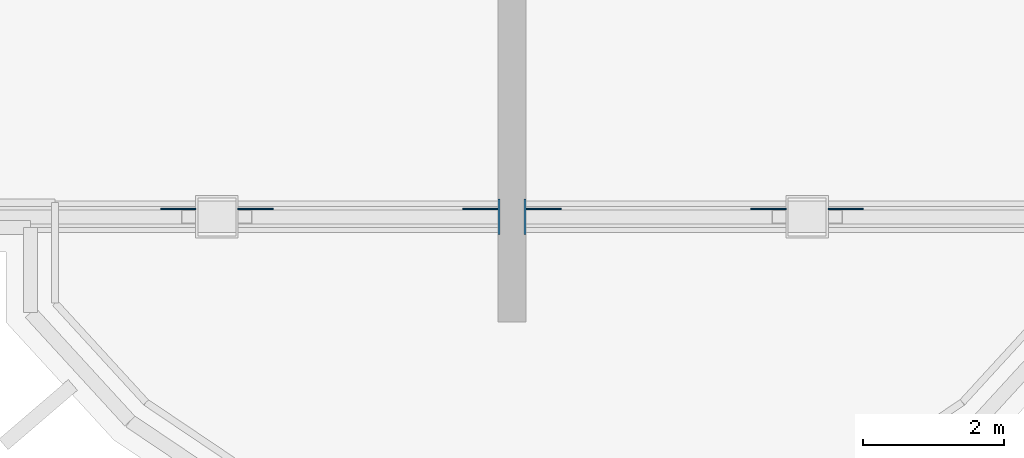
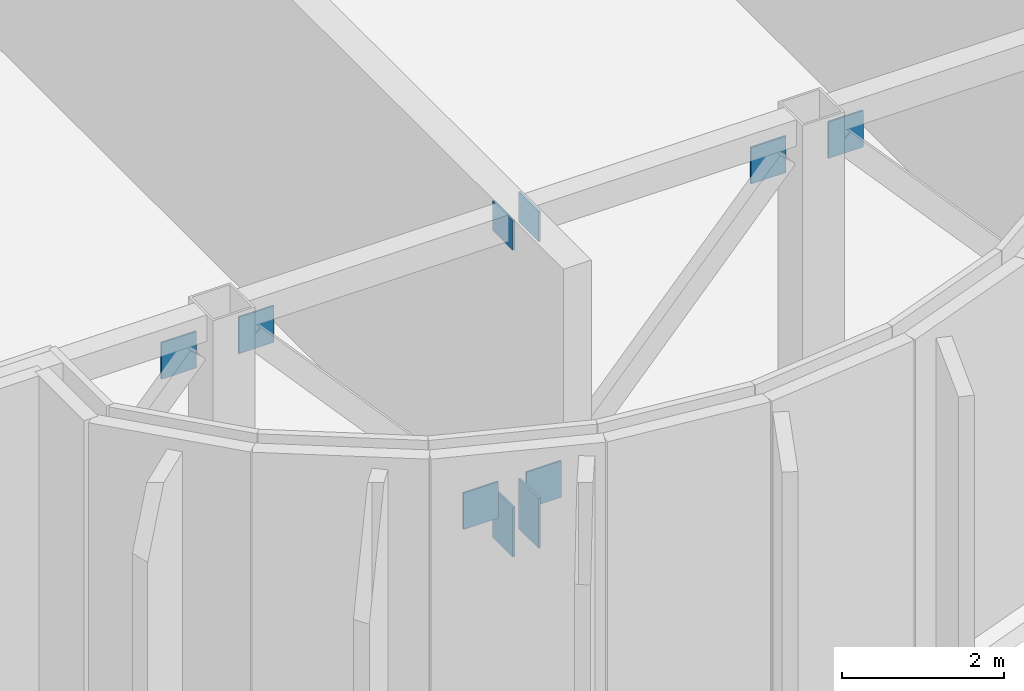
# One storey, part 11 of 17: 10 discrete accessories.
"""IFC4 building model written with IfcOpenShell, lengths in metres."""

from ifc_helpers import new_model, si_unit, direction, frame, origin, origin_2d, place, context, subcontext, project, spatial, rectangle, extrude, source, transform, mapped, material, layer, layer_set, type_object, element, save


model = new_model("IFC4")

# Units and contexts
model_context = context("Model", 3, precision=1e-05, world=origin(), true_north=direction((0.0, 1.0)))
body_context = subcontext(model_context, "Body", "Model", "MODEL_VIEW")
ifc_project = project(units=[si_unit("LENGTHUNIT", "METRE"), si_unit("AREAUNIT", "SQUARE_METRE"), si_unit("VOLUMEUNIT", "CUBIC_METRE"), si_unit("PLANEANGLEUNIT", "RADIAN"), si_unit("MASSUNIT", "GRAM", prefix="KILO")], contexts=[model_context])

# Site, building, storey
site_placement = place(None, origin())
site = spatial("IfcSite", under=ifc_project, at=site_placement, CompositionType="ELEMENT")
building_placement = place(site_placement, origin())
building = spatial("IfcBuilding", under=site, at=building_placement, Name="Vanashikhar Sky Hotel", CompositionType="ELEMENT")
storey_placement = place(building_placement, frame((0.0, 0.0, 81.0)))
storey = spatial("IfcBuildingStorey", under=building, at=storey_placement, Name="L19", CompositionType="ELEMENT", Elevation=81.0)

# Discrete accessories
ifc_material = material(Name="Steel S355", Category="steel")
ifc_layer_1 = layer(ifc_material, 0.030029296875)
ifc_layer_set_1 = layer_set([ifc_layer_1], Name="Cast-in anchor plate 500x750x30")
discrete_accessory_type_1 = type_object("IfcDiscreteAccessoryType", Name="Cast-in anchor plate 500x750x30", PredefinedType="ANCHORPLATE", material=ifc_layer_set_1)
shared_shape_1 = source(origin(), body_context, "Body", "SweptSolid", [
    extrude(rectangle(XDim=0.030029296875, YDim=0.5, at=origin_2d()), origin(), (0.0, 0.0, 1.0), 0.75),
])
for number, where, z_axis, x_axis, name in (
    (1, (58.614990234375, 1.5, 0.02490234375), (0.0, 0.0, 1.0), (1.0, 0.0, 0.0), "EP-L19-F06BB"),
    (2, (58.985107421875, 1.5, 0.02490234375), (0.0, 0.0, 1.0), (1.0, 0.0, 0.0), "EP-L19-F07AB"),
):
    element("IfcDiscreteAccessory", number, at=place(storey_placement, frame(where, z_axis=z_axis, x_axis=x_axis)), inside=storey, type_object=discrete_accessory_type_1, Name=name, PredefinedType="ANCHORPLATE", context=body_context, shape_type="MappedRepresentation", body=[
        mapped(shared_shape_1, transform((0.0, 0.0, 0.0), scale=1.0)),
    ])
ifc_layer_2 = layer(ifc_material, 0.030029296875)
ifc_layer_set_2 = layer_set([ifc_layer_2], Name="Cast-in anchor plate 500x450x30")
discrete_accessory_type_2 = type_object("IfcDiscreteAccessoryType", Name="Cast-in anchor plate 500x450x30", PredefinedType="ANCHORPLATE", material=ifc_layer_set_2)
shared_shape_2 = source(origin(), body_context, "Body", "SweptSolid", [
    extrude(rectangle(XDim=0.030029296875, YDim=0.5, at=origin_2d()), origin(), (0.0, 0.0, 1.0), 0.449951171875),
])
for number, where, z_axis, x_axis, name in (
    (3, (58.614990234375, 1.5, 4.64501953125), (0.0, 0.0, 1.0), (1.0, 0.0, 0.0), "EP-L19-F06BT"),
    (4, (58.985107421875, 1.5, 4.64501953125), (0.0, 0.0, 1.0), (1.0, 0.0, 0.0), "EP-L19-F07AT"),
):
    element("IfcDiscreteAccessory", number, at=place(storey_placement, frame(where, z_axis=z_axis, x_axis=x_axis)), inside=storey, type_object=discrete_accessory_type_2, Name=name, PredefinedType="ANCHORPLATE", context=body_context, shape_type="MappedRepresentation", body=[
        mapped(shared_shape_2, transform((0.0, 0.0, 0.0), scale=1.0)),
    ])
ifc_layer_3 = layer(ifc_material, 0.02490234375)
ifc_layer_set_3 = layer_set([ifc_layer_3], Name="Truss gusset plate 500x550x25")
discrete_accessory_type_3 = type_object("IfcDiscreteAccessoryType", Name="Truss gusset plate 500x550x25", PredefinedType="BRACKET", material=ifc_layer_set_3)
shared_shape_3 = source(origin(), body_context, "Body", "SweptSolid", [
    extrude(rectangle(XDim=0.5, YDim=0.02490234375, at=origin_2d()), origin(), (0.0, 0.0, 1.0), 0.550048828125),
])
for number, where, z_axis, x_axis, name in (
    (5, (54.050048828125, 1.612548828125, 4.169921875), (0.0, 0.0, 1.0), (1.0, 0.0, 0.0), "GS-L19-F06LB"),
    (6, (58.35009765625, 1.612548828125, 0.39990234375), (0.0, 0.0, 1.0), (1.0, 0.0, 0.0), "GS-L19-F06RA"),
    (7, (55.14990234375, 1.612548828125, 4.169921875), (0.0, 0.0, 1.0), (1.0, 0.0, 0.0), "GS-L19-F06RB"),
    (8, (59.25, 1.612548828125, 0.39990234375), (0.0, 0.0, 1.0), (1.0, 0.0, 0.0), "GS-L19-F07LA"),
    (9, (62.449951171875, 1.612548828125, 4.169921875), (0.0, 0.0, 1.0), (1.0, 0.0, 0.0), "GS-L19-F07LB"),
    (10, (63.550048828125, 1.612548828125, 4.169921875), (0.0, 0.0, 1.0), (1.0, 0.0, 0.0), "GS-L19-F07RB"),
):
    element("IfcDiscreteAccessory", number, at=place(storey_placement, frame(where, z_axis=z_axis, x_axis=x_axis)), inside=storey, type_object=discrete_accessory_type_3, Name=name, PredefinedType="BRACKET", context=body_context, shape_type="MappedRepresentation", body=[
        mapped(shared_shape_3, transform((0.0, 0.0, 0.0), scale=1.0)),
    ])

save(model, "model.ifc")
